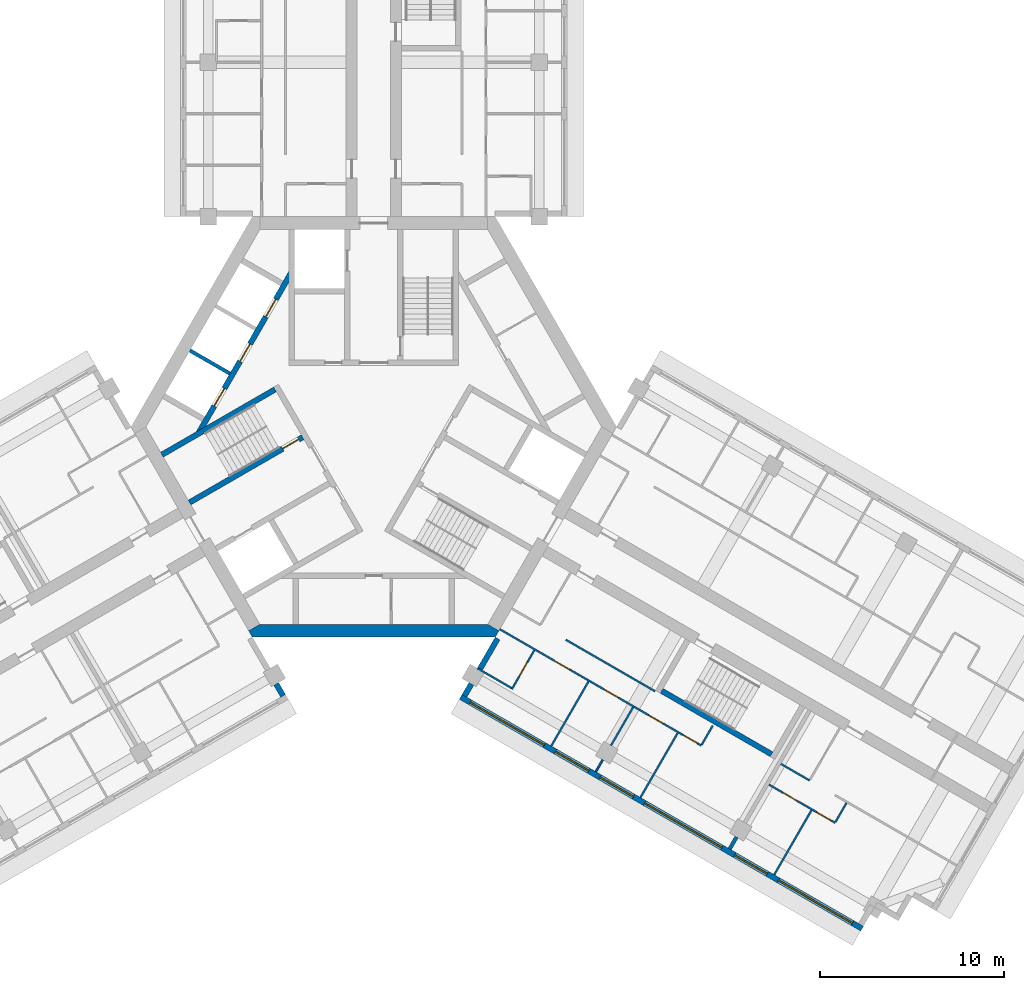
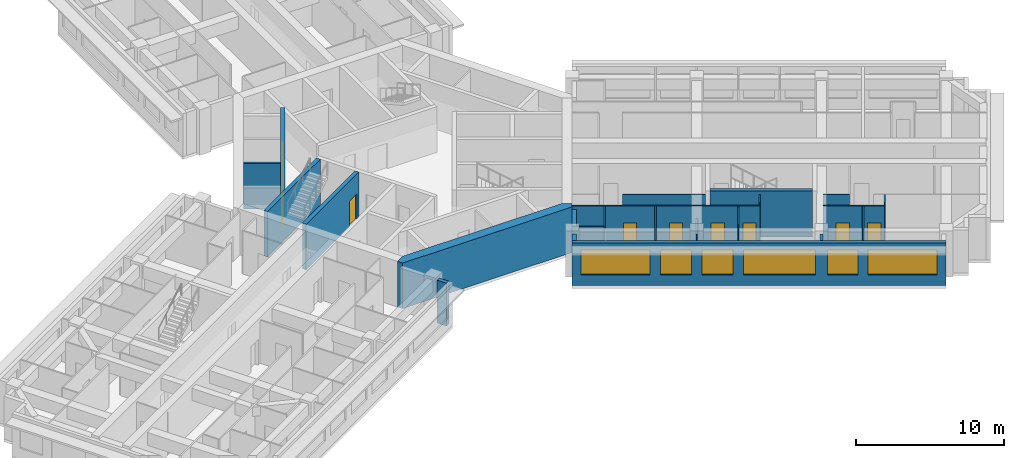
# One storey, part 5 of 12: 24 walls, 11 doors, 6 windows, 17 openings.
"""IFC4 building model written with IfcOpenShell, lengths in metres."""

from ifc_helpers import new_model, si_unit, direction, frame, frame_2d, origin, place, context, subcontext, project, spatial, polyline, rectangle, outline, extrude, material, layer, layer_set, type_object, element, fill, save


model = new_model("IFC4")

# Units and contexts
model_context = context("Model", 3, precision=1e-05, world=origin(), true_north=direction((0.0, 1.0)))
body_context = subcontext(model_context, "Body", "Model", "MODEL_VIEW")
ifc_project = project(units=[si_unit("LENGTHUNIT", "METRE"), si_unit("AREAUNIT", "SQUARE_METRE"), si_unit("VOLUMEUNIT", "CUBIC_METRE"), si_unit("PLANEANGLEUNIT", "RADIAN"), si_unit("MASSUNIT", "GRAM", prefix="KILO")], contexts=[model_context])

# Site, building, storey
site_placement = place(None, origin())
site = spatial("IfcSite", under=ifc_project, at=site_placement, CompositionType="ELEMENT")
building_placement = place(site_placement, origin())
building = spatial("IfcBuilding", under=site, at=building_placement, Name="Impinga Residences", CompositionType="ELEMENT")
storey_placement = place(building_placement, frame((0.0, 0.0, 214.75)))
storey = spatial("IfcBuildingStorey", under=building, at=storey_placement, Name="L53", CompositionType="ELEMENT", Elevation=214.75)

# Wall, openings, windows
ifc_material_1 = material(Name="Terracotta rainscreen on blockwork", Category="masonry")
ifc_layer_1 = layer(ifc_material_1, 0.300048828125)
ifc_layer_set_1 = layer_set([ifc_layer_1], Name="EW1 external wall, terracotta rainscreen on blockwork 300")
wall_type_1 = type_object("IfcWallType", Name="EW1 external wall, terracotta rainscreen on blockwork 300", PredefinedType="SOLIDWALL", material=ifc_layer_set_1)
wall_1_placement = place(storey_placement, frame((26.548828125, -27.279052734375, 0.0), z_axis=(0.0, 0.0, 1.0), x_axis=(-0.866026832479, 0.499997525421, 0.0)))
wall_1 = element("IfcWall", 1, at=wall_1_placement, inside=storey, type_object=wall_type_1, Name="External wall EW1 L53", PredefinedType="SOLIDWALL", context=body_context, shape_type="SweptSolid", body=[
    extrude(rectangle(XDim=25.199951171875, YDim=0.300048828125, at=frame_2d((12.60009765625, 0.0))), origin(), (0.0, 0.0, 1.0), 3.530029296875),
])
opening_1_placement = place(wall_1_placement, frame((0.60009765625, 0.0, 0.89990234375)))
opening_1 = element("IfcOpeningElement", 2, at=opening_1_placement, cuts=wall_1, Name="Opening W10", PredefinedType="OPENING", context=body_context, shape_type="SweptSolid", body=[
    extrude(rectangle(XDim=4.64990234375, YDim=2.050048828125, at=frame_2d((2.324951171875, 1.02490234375))), frame((0.0, 0.159912109375, 0.0), z_axis=(0.0, -1.0, 0.0), x_axis=(1.0, 0.0, 0.0)), (0.0, 0.0, 1.0), 0.320068359375),
])
opening_2_placement = place(wall_1_placement, frame((5.949951171875, 0.0, 0.89990234375)))
opening_2 = element("IfcOpeningElement", 3, at=opening_2_placement, cuts=wall_1, Name="Opening W14", PredefinedType="OPENING", context=body_context, shape_type="SweptSolid", body=[
    extrude(rectangle(XDim=2.050048828125, YDim=2.050048828125, at=frame_2d((1.02490234375, 1.02490234375))), frame((0.0, 0.159912109375, 0.0), z_axis=(0.0, -1.0, 0.0), x_axis=(1.0, 0.0, 0.0)), (0.0, 0.0, 1.0), 0.320068359375),
])
opening_3_placement = place(wall_1_placement, frame((8.800048828125, 0.0, 0.89990234375)))
opening_3 = element("IfcOpeningElement", 4, at=opening_3_placement, cuts=wall_1, Name="Opening W6", PredefinedType="OPENING", context=body_context, shape_type="SweptSolid", body=[
    extrude(rectangle(XDim=4.85009765625, YDim=2.050048828125, at=frame_2d((2.425048828125, 1.02490234375))), frame((0.0, 0.159912109375, 0.0), z_axis=(0.0, -1.0, 0.0), x_axis=(1.0, 0.0, 0.0)), (0.0, 0.0, 1.0), 0.320068359375),
])
opening_4_placement = place(wall_1_placement, frame((14.35009765625, 0.0, 0.89990234375)))
opening_4 = element("IfcOpeningElement", 5, at=opening_4_placement, cuts=wall_1, Name="Opening W9", PredefinedType="OPENING", context=body_context, shape_type="SweptSolid", body=[
    extrude(rectangle(XDim=2.10009765625, YDim=2.050048828125, at=frame_2d((1.050048828125, 1.02490234375))), frame((0.0, 0.159912109375, 0.0), z_axis=(0.0, -1.0, 0.0), x_axis=(1.0, 0.0, 0.0)), (0.0, 0.0, 1.0), 0.320068359375),
])
opening_5_placement = place(wall_1_placement, frame((17.14990234375, 0.0, 0.89990234375)))
opening_5 = element("IfcOpeningElement", 6, at=opening_5_placement, cuts=wall_1, Name="Opening W9", PredefinedType="OPENING", context=body_context, shape_type="SweptSolid", body=[
    extrude(rectangle(XDim=2.10009765625, YDim=2.050048828125, at=frame_2d((1.050048828125, 1.02490234375))), frame((0.0, 0.159912109375, 0.0), z_axis=(0.0, -1.0, 0.0), x_axis=(1.0, 0.0, 0.0)), (0.0, 0.0, 1.0), 0.320068359375),
])
opening_6_placement = place(wall_1_placement, frame((19.949951171875, 0.0, 0.89990234375)))
opening_6 = element("IfcOpeningElement", 7, at=opening_6_placement, cuts=wall_1, Name="Opening W10", PredefinedType="OPENING", context=body_context, shape_type="SweptSolid", body=[
    extrude(rectangle(XDim=4.64990234375, YDim=2.050048828125, at=frame_2d((2.324951171875, 1.02490234375))), frame((0.0, 0.159912109375, 0.0), z_axis=(0.0, -1.0, 0.0), x_axis=(1.0, 0.0, 0.0)), (0.0, 0.0, 1.0), 0.320068359375),
])
ifc_material_2 = material(Name="Aluminium window, clear double glazing", Category="aluminium")
window_type_1 = type_object("IfcWindowType", Name="W10 ribbon window 4650x2050", PartitioningType="SINGLE_PANEL", PredefinedType="WINDOW", material=ifc_material_2)
window_1_placement = place(opening_1_placement, origin())
window_1 = element("IfcWindow", 8, at=window_1_placement, inside=storey, type_object=window_type_1, Name="Window L53", OverallHeight=2.050048828125, OverallWidth=4.64990234375, PartitioningType="SINGLE_PANEL", PredefinedType="WINDOW", context=body_context, shape_type="SweptSolid", body=[
    extrude(rectangle(XDim=4.64990234375, YDim=2.050048828125, at=frame_2d((2.324951171875, 1.02490234375))), frame((0.0, 0.030029296875, 0.0), z_axis=(0.0, -1.0, 0.0), x_axis=(1.0, 0.0, 0.0)), (0.0, 0.0, 1.0), 0.06005859375),
])
fill(opening_1, window_1)
window_2_placement = place(opening_6_placement, origin())
window_2 = element("IfcWindow", 9, at=window_2_placement, inside=storey, type_object=window_type_1, Name="Window L53", OverallHeight=2.050048828125, OverallWidth=4.64990234375, PartitioningType="SINGLE_PANEL", PredefinedType="WINDOW", context=body_context, shape_type="SweptSolid", body=[
    extrude(rectangle(XDim=4.64990234375, YDim=2.050048828125, at=frame_2d((2.324951171875, 1.02490234375))), frame((0.0, 0.030029296875, 0.0), z_axis=(0.0, -1.0, 0.0), x_axis=(1.0, 0.0, 0.0)), (0.0, 0.0, 1.0), 0.06005859375),
])
fill(opening_6, window_2)
window_type_2 = type_object("IfcWindowType", Name="W14 ribbon window 2050x2050", PartitioningType="SINGLE_PANEL", PredefinedType="WINDOW", material=ifc_material_2)
window_3_placement = place(opening_2_placement, origin())
window_3 = element("IfcWindow", 10, at=window_3_placement, inside=storey, type_object=window_type_2, Name="Window L53", OverallHeight=2.050048828125, OverallWidth=2.050048828125, PartitioningType="SINGLE_PANEL", PredefinedType="WINDOW", context=body_context, shape_type="SweptSolid", body=[
    extrude(rectangle(XDim=2.050048828125, YDim=2.050048828125, at=frame_2d((1.02490234375, 1.02490234375))), frame((0.0, 0.030029296875, 0.0), z_axis=(0.0, -1.0, 0.0), x_axis=(1.0, 0.0, 0.0)), (0.0, 0.0, 1.0), 0.06005859375),
])
fill(opening_2, window_3)
window_type_3 = type_object("IfcWindowType", Name="W6 ribbon window 4850x2050", PartitioningType="SINGLE_PANEL", PredefinedType="WINDOW", material=ifc_material_2)
window_4_placement = place(opening_3_placement, origin())
window_4 = element("IfcWindow", 11, at=window_4_placement, inside=storey, type_object=window_type_3, Name="Window L53", OverallHeight=2.050048828125, OverallWidth=4.85009765625, PartitioningType="SINGLE_PANEL", PredefinedType="WINDOW", context=body_context, shape_type="SweptSolid", body=[
    extrude(rectangle(XDim=4.85009765625, YDim=2.050048828125, at=frame_2d((2.425048828125, 1.02490234375))), frame((0.0, 0.030029296875, 0.0), z_axis=(0.0, -1.0, 0.0), x_axis=(1.0, 0.0, 0.0)), (0.0, 0.0, 1.0), 0.06005859375),
])
fill(opening_3, window_4)
window_type_4 = type_object("IfcWindowType", Name="W9 ribbon window 2100x2050", PartitioningType="SINGLE_PANEL", PredefinedType="WINDOW", material=ifc_material_2)
window_5_placement = place(opening_4_placement, origin())
window_5 = element("IfcWindow", 12, at=window_5_placement, inside=storey, type_object=window_type_4, Name="Window L53", OverallHeight=2.050048828125, OverallWidth=2.10009765625, PartitioningType="SINGLE_PANEL", PredefinedType="WINDOW", context=body_context, shape_type="SweptSolid", body=[
    extrude(rectangle(XDim=2.10009765625, YDim=2.050048828125, at=frame_2d((1.050048828125, 1.02490234375))), frame((0.0, 0.030029296875, 0.0), z_axis=(0.0, -1.0, 0.0), x_axis=(1.0, 0.0, 0.0)), (0.0, 0.0, 1.0), 0.06005859375),
])
fill(opening_4, window_5)
window_6_placement = place(opening_5_placement, origin())
window_6 = element("IfcWindow", 13, at=window_6_placement, inside=storey, type_object=window_type_4, Name="Window L53", OverallHeight=2.050048828125, OverallWidth=2.10009765625, PartitioningType="SINGLE_PANEL", PredefinedType="WINDOW", context=body_context, shape_type="SweptSolid", body=[
    extrude(rectangle(XDim=2.10009765625, YDim=2.050048828125, at=frame_2d((1.050048828125, 1.02490234375))), frame((0.0, 0.030029296875, 0.0), z_axis=(0.0, -1.0, 0.0), x_axis=(1.0, 0.0, 0.0)), (0.0, 0.0, 1.0), 0.06005859375),
])
fill(opening_5, window_6)

# Walls
wall_2_placement = place(storey_placement, frame((4.929931640625, -14.624267578125, 0.0), z_axis=(0.0, 0.0, 1.0), x_axis=(0.499919672301, 0.866071776036, 0.0)))
element("IfcWall", 14, at=wall_2_placement, inside=storey, type_object=wall_type_1, Name="External wall EW1 L53", PredefinedType="SOLIDWALL", context=body_context, shape_type="SweptSolid", body=[
    extrude(rectangle(XDim=0.75, YDim=0.300048828125, at=frame_2d((0.375, 0.0))), origin(), (0.0, 0.0, 1.0), 3.530029296875),
])
wall_3_placement = place(storey_placement, frame((5.7548828125, -13.1953125, 0.0), z_axis=(0.0, 0.0, 1.0), x_axis=(0.500043961785, 0.866000020948, 0.0)))
element("IfcWall", 15, at=wall_3_placement, inside=storey, type_object=wall_type_1, Name="External wall EW1 L53", PredefinedType="SOLIDWALL", context=body_context, shape_type="SweptSolid", body=[
    extrude(rectangle(XDim=1.949951171875, YDim=0.300048828125, at=frame_2d((0.97509765625, 0.0))), origin(), (0.0, 0.0, 1.0), 3.530029296875),
])
wall_4_placement = place(storey_placement, frame((-5.304931640625, -13.974609375, 0.0), z_axis=(0.0, 0.0, 1.0), x_axis=(0.499919672301, -0.866071776036, 0.0)))
element("IfcWall", 16, at=wall_4_placement, inside=storey, type_object=wall_type_1, Name="External wall EW1 L53", PredefinedType="SOLIDWALL", context=body_context, shape_type="SweptSolid", body=[
    extrude(rectangle(XDim=0.75, YDim=0.300048828125, at=frame_2d((0.375, 0.0))), origin(), (0.0, 0.0, 1.0), 3.530029296875),
])
ifc_material_3 = material(Name="Gypsum board on steel studs", Category="steel")
ifc_layer_2 = layer(ifc_material_3, 0.10009765625)
ifc_layer_set_2 = layer_set([ifc_layer_2], Name="Gypsum board on steel studs")
wall_type_2 = type_object("IfcWallType", Name="IP1 partition 100", PredefinedType="PARTITIONING", material=ifc_layer_set_2)
wall_5_placement = place(storey_placement, frame((10.444580078125, -11.57275390625, 0.0), z_axis=(0.0, 0.0, 1.0), x_axis=(0.866015695474, -0.500016814911, 0.0)))
element("IfcWall", 17, at=wall_5_placement, inside=storey, type_object=wall_type_2, Name="Partition L53-EF1:DIV1", PredefinedType="PARTITIONING", context=body_context, shape_type="SweptSolid", body=[
    extrude(rectangle(XDim=5.599853515625, YDim=0.10009765625, at=frame_2d((2.7998046875, 0.0))), origin(), (0.0, 0.0, 1.0), 3.530029296875),
])

# Wall, openings, doors
wall_6_placement = place(storey_placement, frame((6.85009765625, -10.99853515625, 0.0), z_axis=(0.0, 0.0, 1.0), x_axis=(0.866024244478, -0.500002007972, 0.0)))
wall_6 = element("IfcWall", 18, at=wall_6_placement, inside=storey, type_object=wall_type_2, Name="Partition L53-EF1:STRIP", PredefinedType="PARTITIONING", context=body_context, shape_type="SweptSolid", body=[
    extrude(rectangle(XDim=12.64990234375, YDim=0.10009765625, at=frame_2d((6.324951171875, 0.0))), origin(), (0.0, 0.0, 1.0), 3.530029296875),
])
opening_7_placement = place(wall_6_placement, frame((3.449951171875, 0.0, 0.0)))
opening_7 = element("IfcOpeningElement", 19, at=opening_7_placement, cuts=wall_6, Name="Opening D2", PredefinedType="OPENING", context=body_context, shape_type="SweptSolid", body=[
    extrude(rectangle(XDim=0.89990234375, YDim=2.10009765625, at=frame_2d((0.449951171875, 1.050048828125))), frame((0.0, 0.06005859375, 0.0), z_axis=(0.0, -1.0, 0.0), x_axis=(1.0, 0.0, 0.0)), (0.0, 0.0, 1.0), 0.1201171875),
])
opening_8_placement = place(wall_6_placement, frame((6.550048828125, 0.0, 0.0)))
opening_8 = element("IfcOpeningElement", 20, at=opening_8_placement, cuts=wall_6, Name="Opening D2", PredefinedType="OPENING", context=body_context, shape_type="SweptSolid", body=[
    extrude(rectangle(XDim=0.89990234375, YDim=2.10009765625, at=frame_2d((0.449951171875, 1.050048828125))), frame((0.0, 0.06005859375, 0.0), z_axis=(0.0, -1.0, 0.0), x_axis=(1.0, 0.0, 0.0)), (0.0, 0.0, 1.0), 0.1201171875),
])
opening_9_placement = place(wall_6_placement, frame((9.35009765625, 0.0, 0.0)))
opening_9 = element("IfcOpeningElement", 21, at=opening_9_placement, cuts=wall_6, Name="Opening D2", PredefinedType="OPENING", context=body_context, shape_type="SweptSolid", body=[
    extrude(rectangle(XDim=0.89990234375, YDim=2.10009765625, at=frame_2d((0.449951171875, 1.050048828125))), frame((0.0, 0.06005859375, 0.0), z_axis=(0.0, -1.0, 0.0), x_axis=(1.0, 0.0, 0.0)), (0.0, 0.0, 1.0), 0.1201171875),
])
opening_10_placement = place(wall_6_placement, frame((11.5, 0.0, 0.0)))
opening_10 = element("IfcOpeningElement", 22, at=opening_10_placement, cuts=wall_6, Name="Opening D2", PredefinedType="OPENING", context=body_context, shape_type="SweptSolid", body=[
    extrude(rectangle(XDim=0.89990234375, YDim=2.10009765625, at=frame_2d((0.449951171875, 1.050048828125))), frame((0.0, 0.06005859375, 0.0), z_axis=(0.0, -1.0, 0.0), x_axis=(1.0, 0.0, 0.0)), (0.0, 0.0, 1.0), 0.1201171875),
])
ifc_material_4 = material(Name="Timber door set", Category="wood")
door_type_1 = type_object("IfcDoorType", Name="D2 internal door 900x2100", OperationType="SINGLE_SWING_LEFT", PredefinedType="DOOR", material=ifc_material_4)
door_1_placement = place(opening_7_placement, origin())
door_1 = element("IfcDoor", 23, at=door_1_placement, inside=storey, type_object=door_type_1, Name="Apartment L53-EF1 room door", OperationType="SINGLE_SWING_LEFT", OverallHeight=2.10009765625, OverallWidth=0.89990234375, PredefinedType="DOOR", context=body_context, shape_type="SweptSolid", body=[
    extrude(rectangle(XDim=0.89990234375, YDim=2.10009765625, at=frame_2d((0.449951171875, 1.050048828125))), frame((0.0, 0.02490234375, 0.0), z_axis=(0.0, -1.0, 0.0), x_axis=(1.0, 0.0, 0.0)), (0.0, 0.0, 1.0), 0.050048828125),
])
fill(opening_7, door_1)
door_2_placement = place(opening_8_placement, origin())
door_2 = element("IfcDoor", 24, at=door_2_placement, inside=storey, type_object=door_type_1, Name="Apartment L53-EF1 room door", OperationType="SINGLE_SWING_RIGHT", OverallHeight=2.10009765625, OverallWidth=0.89990234375, PredefinedType="DOOR", context=body_context, shape_type="SweptSolid", body=[
    extrude(rectangle(XDim=0.89990234375, YDim=2.10009765625, at=frame_2d((0.449951171875, 1.050048828125))), frame((0.0, 0.02490234375, 0.0), z_axis=(0.0, -1.0, 0.0), x_axis=(1.0, 0.0, 0.0)), (0.0, 0.0, 1.0), 0.050048828125),
])
fill(opening_8, door_2)
door_3_placement = place(opening_9_placement, origin())
door_3 = element("IfcDoor", 25, at=door_3_placement, inside=storey, type_object=door_type_1, Name="Apartment L53-EF1 room door", OperationType="SINGLE_SWING_RIGHT", OverallHeight=2.10009765625, OverallWidth=0.89990234375, PredefinedType="DOOR", context=body_context, shape_type="SweptSolid", body=[
    extrude(rectangle(XDim=0.89990234375, YDim=2.10009765625, at=frame_2d((0.449951171875, 1.050048828125))), frame((0.0, 0.02490234375, 0.0), z_axis=(0.0, -1.0, 0.0), x_axis=(1.0, 0.0, 0.0)), (0.0, 0.0, 1.0), 0.050048828125),
])
fill(opening_9, door_3)
door_4_placement = place(opening_10_placement, origin())
door_4 = element("IfcDoor", 26, at=door_4_placement, inside=storey, type_object=door_type_1, Name="Apartment L53-EF1 room door", OperationType="SINGLE_SWING_RIGHT", OverallHeight=2.10009765625, OverallWidth=0.89990234375, PredefinedType="DOOR", context=body_context, shape_type="SweptSolid", body=[
    extrude(rectangle(XDim=0.89990234375, YDim=2.10009765625, at=frame_2d((0.449951171875, 1.050048828125))), frame((0.0, 0.02490234375, 0.0), z_axis=(0.0, -1.0, 0.0), x_axis=(1.0, 0.0, 0.0)), (0.0, 0.0, 1.0), 0.050048828125),
])
fill(opening_10, door_4)

# Walls
wall_7_placement = place(storey_placement, frame((18.43017578125, -16.240966796875, 0.0), z_axis=(0.0, 0.0, 1.0), x_axis=(-0.499880961361, -0.866094119867, 0.0)))
element("IfcWall", 27, at=wall_7_placement, inside=storey, type_object=wall_type_2, Name="Partition L53-EF1:SE1", PredefinedType="PARTITIONING", context=body_context, shape_type="SweptSolid", body=[
    extrude(rectangle(XDim=1.199951171875, YDim=0.10009765625, at=frame_2d((0.60009765625, 0.0))), origin(), (0.0, 0.0, 1.0), 3.530029296875),
])
wall_8_placement = place(storey_placement, frame((11.6748046875, -13.841796875, 0.0), z_axis=(0.0, 0.0, 1.0), x_axis=(-0.500035537042, -0.866004885491, 0.0)))
element("IfcWall", 28, at=wall_8_placement, inside=storey, type_object=wall_type_2, Name="Partition L53-EF1:OB1", PredefinedType="PARTITIONING", context=body_context, shape_type="SweptSolid", body=[
    extrude(rectangle(XDim=4.050048828125, YDim=0.10009765625, at=frame_2d((2.02490234375, 0.0))), origin(), (0.0, 0.0, 1.0), 3.530029296875),
])
wall_9_placement = place(storey_placement, frame((14.099609375, -15.241943359375, 0.0), z_axis=(0.0, 0.0, 1.0), x_axis=(-0.500001309137, -0.866024647952, 0.0)))
element("IfcWall", 29, at=wall_9_placement, inside=storey, type_object=wall_type_2, Name="Partition L53-EF1:OB2", PredefinedType="PARTITIONING", context=body_context, shape_type="SweptSolid", body=[
    extrude(rectangle(XDim=2.39990234375, YDim=0.10009765625, at=frame_2d((1.199951171875, 0.0))), origin(), (0.0, 0.0, 1.0), 2.47998046875),
])
wall_10_placement = place(storey_placement, frame((12.44970703125, -18.099609375, 0.0), z_axis=(0.0, 0.0, 1.0), x_axis=(-0.499919672301, -0.866071776036, 0.0)))
element("IfcWall", 30, at=wall_10_placement, inside=storey, type_object=wall_type_2, Name="Partition L53-EF1:OB2b", PredefinedType="PARTITIONING", context=body_context, shape_type="SweptSolid", body=[
    extrude(rectangle(XDim=0.75, YDim=0.10009765625, at=frame_2d((0.375, 0.0))), origin(), (0.0, 0.0, 1.0), 3.530029296875),
])
wall_11_placement = place(storey_placement, frame((16.5244140625, -16.641845703125, 0.0), z_axis=(0.0, 0.0, 1.0), x_axis=(-0.499990325971, -0.866030989016, 0.0)))
element("IfcWall", 31, at=wall_11_placement, inside=storey, type_object=wall_type_2, Name="Partition L53-EF1:OB3", PredefinedType="PARTITIONING", context=body_context, shape_type="SweptSolid", body=[
    extrude(rectangle(XDim=4.0498046875, YDim=0.10009765625, at=frame_2d((2.02490234375, 0.0))), origin(), (0.0, 0.0, 1.0), 3.530029296875),
])

# Wall, opening, door
wall_12_placement = place(storey_placement, frame((8.730224609375, -12.141845703125, 0.0), z_axis=(0.0, 0.0, 1.0), x_axis=(-0.499943856944, -0.866057815567, 0.0)))
wall_12 = element("IfcWall", 32, at=wall_12_placement, inside=storey, type_object=wall_type_2, Name="Partition L53-EF1:EN1", PredefinedType="PARTITIONING", context=body_context, shape_type="SweptSolid", body=[
    extrude(rectangle(XDim=2.449951171875, YDim=0.10009765625, at=frame_2d((1.22509765625, 0.0))), origin(), (0.0, 0.0, 1.0), 3.530029296875),
])
opening_11_placement = place(wall_12_placement, frame((0.75, 0.0, 0.0)))
opening_11 = element("IfcOpeningElement", 33, at=opening_11_placement, cuts=wall_12, Name="Opening D2", PredefinedType="OPENING", context=body_context, shape_type="SweptSolid", body=[
    extrude(rectangle(XDim=0.89990234375, YDim=2.10009765625, at=frame_2d((0.449951171875, 1.050048828125))), frame((0.0, 0.06005859375, 0.0), z_axis=(0.0, -1.0, 0.0), x_axis=(1.0, 0.0, 0.0)), (0.0, 0.0, 1.0), 0.1201171875),
])
door_5_placement = place(opening_11_placement, origin())
door_5 = element("IfcDoor", 34, at=door_5_placement, inside=storey, type_object=door_type_1, Name="Apartment L53-EF1 en-suite door", OperationType="SINGLE_SWING_LEFT", OverallHeight=2.10009765625, OverallWidth=0.89990234375, PredefinedType="DOOR", context=body_context, shape_type="SweptSolid", body=[
    extrude(rectangle(XDim=0.89990234375, YDim=2.10009765625, at=frame_2d((0.449951171875, 1.050048828125))), frame((0.0, 0.02490234375, 0.0), z_axis=(0.0, -1.0, 0.0), x_axis=(1.0, 0.0, 0.0)), (0.0, 0.0, 1.0), 0.050048828125),
])
fill(opening_11, door_5)

# Walls
wall_13_placement = place(storey_placement, frame((5.625, -13.120361328125, 0.0), z_axis=(0.0, 0.0, 1.0), x_axis=(0.866047553582, -0.499961633463, 0.0)))
element("IfcWall", 35, at=wall_13_placement, inside=storey, type_object=wall_type_2, Name="Partition L53-EF1:EN2", PredefinedType="PARTITIONING", context=body_context, shape_type="SweptSolid", body=[
    extrude(rectangle(XDim=2.150146484375, YDim=0.10009765625, at=frame_2d((1.0751953125, 0.0))), origin(), (0.0, 0.0, 1.0), 3.530029296875),
])
wall_14_placement = place(storey_placement, frame((22.1357421875, -18.32275390625, 0.0), z_axis=(0.0, 0.0, 1.0), x_axis=(0.866047807691, -0.499961193289, 0.0)))
element("IfcWall", 36, at=wall_14_placement, inside=storey, type_object=wall_type_2, Name="Partition L53-EF2:DIV0", PredefinedType="PARTITIONING", context=body_context, shape_type="SweptSolid", body=[
    extrude(rectangle(XDim=1.800048828125, YDim=0.10009765625, at=frame_2d((0.89990234375, 0.0))), origin(), (0.0, 0.0, 1.0), 3.530029296875),
])

# Wall, openings, doors
wall_15_placement = place(storey_placement, frame((21.48583984375, -19.448486328125, 0.0), z_axis=(0.0, 0.0, 1.0), x_axis=(0.86602981871, -0.499992353047, 0.0)))
wall_15 = element("IfcWall", 37, at=wall_15_placement, inside=storey, type_object=wall_type_2, Name="Partition L53-EF2:STRIP", PredefinedType="PARTITIONING", context=body_context, shape_type="SweptSolid", body=[
    extrude(rectangle(XDim=4.14990234375, YDim=0.10009765625, at=frame_2d((2.074951171875, 0.0))), origin(), (0.0, 0.0, 1.0), 3.530029296875),
])
opening_12_placement = place(wall_15_placement, frame((0.875, 0.0, 0.0)))
opening_12 = element("IfcOpeningElement", 38, at=opening_12_placement, cuts=wall_15, Name="Opening D2", PredefinedType="OPENING", context=body_context, shape_type="SweptSolid", body=[
    extrude(rectangle(XDim=0.89990234375, YDim=2.10009765625, at=frame_2d((0.449951171875, 1.050048828125))), frame((0.0, 0.06005859375, 0.0), z_axis=(0.0, -1.0, 0.0), x_axis=(1.0, 0.0, 0.0)), (0.0, 0.0, 1.0), 0.1201171875),
])
opening_13_placement = place(wall_15_placement, frame((3.0, 0.0, 0.0)))
opening_13 = element("IfcOpeningElement", 39, at=opening_13_placement, cuts=wall_15, Name="Opening D2", PredefinedType="OPENING", context=body_context, shape_type="SweptSolid", body=[
    extrude(rectangle(XDim=0.89990234375, YDim=2.10009765625, at=frame_2d((0.449951171875, 1.050048828125))), frame((0.0, 0.06005859375, 0.0), z_axis=(0.0, -1.0, 0.0), x_axis=(1.0, 0.0, 0.0)), (0.0, 0.0, 1.0), 0.1201171875),
])
door_6_placement = place(opening_12_placement, origin())
door_6 = element("IfcDoor", 40, at=door_6_placement, inside=storey, type_object=door_type_1, Name="Apartment L53-EF2 room door", OperationType="SINGLE_SWING_LEFT", OverallHeight=2.10009765625, OverallWidth=0.89990234375, PredefinedType="DOOR", context=body_context, shape_type="SweptSolid", body=[
    extrude(rectangle(XDim=0.89990234375, YDim=2.10009765625, at=frame_2d((0.449951171875, 1.050048828125))), frame((0.0, 0.02490234375, 0.0), z_axis=(0.0, -1.0, 0.0), x_axis=(1.0, 0.0, 0.0)), (0.0, 0.0, 1.0), 0.050048828125),
])
fill(opening_12, door_6)
door_7_placement = place(opening_13_placement, origin())
door_7 = element("IfcDoor", 41, at=door_7_placement, inside=storey, type_object=door_type_1, Name="Apartment L53-EF2 room door", OperationType="SINGLE_SWING_RIGHT", OverallHeight=2.10009765625, OverallWidth=0.89990234375, PredefinedType="DOOR", context=body_context, shape_type="SweptSolid", body=[
    extrude(rectangle(XDim=0.89990234375, YDim=2.10009765625, at=frame_2d((0.449951171875, 1.050048828125))), frame((0.0, 0.02490234375, 0.0), z_axis=(0.0, -1.0, 0.0), x_axis=(1.0, 0.0, 0.0)), (0.0, 0.0, 1.0), 0.050048828125),
])
fill(opening_13, door_7)

# Walls
wall_16_placement = place(storey_placement, frame((25.704833984375, -20.44091796875, 0.0), z_axis=(0.0, 0.0, 1.0), x_axis=(-0.500033551112, -0.866006032174, 0.0)))
element("IfcWall", 42, at=wall_16_placement, inside=storey, type_object=wall_type_2, Name="Partition L53-EF2:SE1", PredefinedType="PARTITIONING", context=body_context, shape_type="SweptSolid", body=[
    extrude(rectangle(XDim=1.2001953125, YDim=0.10009765625, at=frame_2d((0.60009765625, 0.0))), origin(), (0.0, 0.0, 1.0), 3.530029296875),
])
wall_17_placement = place(storey_placement, frame((23.799072265625, -20.841796875, 0.0), z_axis=(0.0, 0.0, 1.0), x_axis=(-0.499990325971, -0.866030989016, 0.0)))
element("IfcWall", 43, at=wall_17_placement, inside=storey, type_object=wall_type_2, Name="Partition L53-EF2:OB1", PredefinedType="PARTITIONING", context=body_context, shape_type="SweptSolid", body=[
    extrude(rectangle(XDim=4.0498046875, YDim=0.10009765625, at=frame_2d((2.02490234375, 0.0))), origin(), (0.0, 0.0, 1.0), 3.530029296875),
])
ifc_material_5 = material(Name="Concrete blockwork", Category="masonry")
ifc_layer_3 = layer(ifc_material_5, 0.199951171875)
ifc_layer_set_3 = layer_set([ifc_layer_3], Name="PW1 party wall between apartments 200")
wall_type_3 = type_object("IfcWallType", Name="PW1 party wall between apartments 200", PredefinedType="SOLIDWALL", material=ifc_layer_set_3)
wall_18_placement = place(storey_placement, frame((19.72412109375, -22.2998046875, 0.0), z_axis=(0.0, 0.0, 1.0), x_axis=(-0.500060622324, -0.86599040064, 0.0)))
element("IfcWall", 44, at=wall_18_placement, inside=storey, type_object=wall_type_3, Name="Party wall between apartments L53-EF1:PARTYb", PredefinedType="SOLIDWALL", context=body_context, shape_type="SweptSolid", body=[
    extrude(rectangle(XDim=0.75, YDim=0.199951171875, at=frame_2d((0.375, 0.0))), origin(), (0.0, 0.0, 1.0), 3.530029296875),
])
ifc_material_6 = material(Name="Concrete C60/75", Category="concrete")
ifc_layer_4 = layer(ifc_material_6, 0.300048828125)
ifc_layer_set_4 = layer_set([ifc_layer_4], Name="Concrete C60/75")
wall_type_4 = type_object("IfcWallType", Name="SE1 wing stair enclosure wall 300", PredefinedType="SOLIDWALL", material=ifc_layer_set_4)
wall_19_placement = place(storey_placement, frame((15.654052734375, -14.349365234375, 0.0), z_axis=(0.0, 0.0, 1.0), x_axis=(0.866013532718, -0.500020560727, 0.0)))
element("IfcWall", 45, at=wall_19_placement, inside=storey, type_object=wall_type_4, Name="Stair enclosure wall SE1 E OUT L53", PredefinedType="SOLIDWALL", context=body_context, shape_type="SweptSolid", body=[
    extrude(rectangle(XDim=6.900146484375, YDim=0.300048828125, at=frame_2d((3.4501953125, 0.0))), origin(), (0.0, 0.0, 1.0), 3.75),
])
ifc_layer_5 = layer(ifc_material_6, 0.699951171875)
ifc_layer_set_5 = layer_set([ifc_layer_5], Name="Concrete C60/75")
wall_type_5 = type_object("IfcWallType", Name="SW3 core wall 700", PredefinedType="SHEAR", material=ifc_layer_set_5)
wall_20_placement = place(storey_placement, origin())
element("IfcWall", 46, at=wall_20_placement, inside=storey, type_object=wall_type_5, Name="Core wall SW3 N:EXPOSED L53", PredefinedType="SHEAR", context=body_context, shape_type="SweptSolid", body=[
    extrude(outline(polyline([(-6.60009765625, -11.431640625), (6.60009765625, -11.431640625), (6.802001953125, -11.08154296875), (6.19580078125, -10.7314453125), (-6.19580078125, -10.7314453125), (-6.802001953125, -11.08154296875), (-6.60009765625, -11.431640625)])), origin(), (0.0, 0.0, 1.0), 3.75),
])

# Wall, opening, door
ifc_material_7 = material(Name="Concrete C70/85", Category="concrete")
ifc_layer_6 = layer(ifc_material_7, 0.300048828125)
ifc_layer_set_6 = layer_set([ifc_layer_6], Name="Concrete C70/85")
wall_type_6 = type_object("IfcWallType", Name="SW5 core inner wall, stairs, shafts and lobbies 300", PredefinedType="SHEAR", material=ifc_layer_set_6)
wall_21_placement = place(storey_placement, frame((-3.86865234375, -0.559326171875, 0.0), z_axis=(0.0, 0.0, 1.0), x_axis=(-0.866025859768, -0.499999210213, 0.0)))
wall_21 = element("IfcWall", 47, at=wall_21_placement, inside=storey, type_object=wall_type_6, Name="Core wall SW5 W:ST-IN L53", PredefinedType="SHEAR", context=body_context, shape_type="SweptSolid", body=[
    extrude(rectangle(XDim=7.1015625, YDim=0.300048828125, at=frame_2d((3.55078125, 0.0))), origin(), (0.0, 0.0, 1.0), 3.75),
])
opening_14_placement = place(wall_21_placement, frame((0.25, 0.0, 0.0)))
opening_14 = element("IfcOpeningElement", 48, at=opening_14_placement, cuts=wall_21, Name="Opening D5", PredefinedType="OPENING", context=body_context, shape_type="SweptSolid", body=[
    extrude(rectangle(XDim=1.0, YDim=2.10009765625, at=frame_2d((0.5, 1.050048828125))), frame((0.0, 0.159912109375, 0.0), z_axis=(0.0, -1.0, 0.0), x_axis=(1.0, 0.0, 0.0)), (0.0, 0.0, 1.0), 0.320068359375),
])
door_type_2 = type_object("IfcDoorType", Name="D5 stair door 1000x2100", OperationType="SINGLE_SWING_LEFT", PredefinedType="DOOR", material=ifc_material_4)
door_8_placement = place(opening_14_placement, origin())
door_8 = element("IfcDoor", 49, at=door_8_placement, inside=storey, type_object=door_type_2, Name="Stair door W", OperationType="SINGLE_SWING_LEFT", OverallHeight=2.10009765625, OverallWidth=1.0, PredefinedType="DOOR", context=body_context, shape_type="SweptSolid", body=[
    extrude(rectangle(XDim=1.0, YDim=2.10009765625, at=frame_2d((0.5, 1.050048828125))), frame((0.0, 0.02490234375, 0.0), z_axis=(0.0, -1.0, 0.0), x_axis=(1.0, 0.0, 0.0)), (0.0, 0.0, 1.0), 0.050048828125),
])
fill(opening_14, door_8)

# Wall
wall_22_placement = place(storey_placement, frame((-5.36865234375, 2.038818359375, 0.0), z_axis=(0.0, 0.0, 1.0), x_axis=(-0.866025859768, -0.499999210213, 0.0)))
element("IfcWall", 50, at=wall_22_placement, inside=storey, type_object=wall_type_6, Name="Core wall SW5 W:ST-OUT L53", PredefinedType="SHEAR", context=body_context, shape_type="SweptSolid", body=[
    extrude(rectangle(XDim=7.1015625, YDim=0.300048828125, at=frame_2d((3.55078125, 0.0))), origin(), (0.0, 0.0, 1.0), 3.75),
])

# Wall, openings, doors
wall_23_placement = place(storey_placement, frame((-9.547607421875, -0.3740234375, 0.0), z_axis=(0.0, 0.0, 1.0), x_axis=(0.500002290144, 0.866024081565, 0.0)))
wall_23 = element("IfcWall", 51, at=wall_23_placement, inside=storey, type_object=wall_type_6, Name="Core wall SW5 E:BANK-FRONT L53", PredefinedType="SHEAR", context=body_context, shape_type="SweptSolid", body=[
    extrude(rectangle(XDim=10.1953125, YDim=0.300048828125, at=frame_2d((5.09765625, 0.0))), origin(), (0.0, 0.0, 1.0), 3.75),
])
opening_15_placement = place(wall_23_placement, frame((1.74755859375, 0.0, 0.0)))
opening_15 = element("IfcOpeningElement", 52, at=opening_15_placement, cuts=wall_23, Name="Opening LD1", PredefinedType="OPENING", context=body_context, shape_type="SweptSolid", body=[
    extrude(rectangle(XDim=1.10009765625, YDim=2.10009765625, at=frame_2d((0.550048828125, 1.050048828125))), frame((0.0, 0.159912109375, 0.0), z_axis=(0.0, -1.0, 0.0), x_axis=(1.0, 0.0, 0.0)), (0.0, 0.0, 1.0), 0.320068359375),
])
opening_16_placement = place(wall_23_placement, frame((4.547607421875, 0.0, 0.0)))
opening_16 = element("IfcOpeningElement", 53, at=opening_16_placement, cuts=wall_23, Name="Opening LD1", PredefinedType="OPENING", context=body_context, shape_type="SweptSolid", body=[
    extrude(rectangle(XDim=1.10009765625, YDim=2.10009765625, at=frame_2d((0.550048828125, 1.050048828125))), frame((0.0, 0.159912109375, 0.0), z_axis=(0.0, -1.0, 0.0), x_axis=(1.0, 0.0, 0.0)), (0.0, 0.0, 1.0), 0.320068359375),
])
opening_17_placement = place(wall_23_placement, frame((7.34765625, 0.0, 0.0)))
opening_17 = element("IfcOpeningElement", 54, at=opening_17_placement, cuts=wall_23, Name="Opening LD1", PredefinedType="OPENING", context=body_context, shape_type="SweptSolid", body=[
    extrude(rectangle(XDim=1.10009765625, YDim=2.10009765625, at=frame_2d((0.550048828125, 1.050048828125))), frame((0.0, 0.159912109375, 0.0), z_axis=(0.0, -1.0, 0.0), x_axis=(1.0, 0.0, 0.0)), (0.0, 0.0, 1.0), 0.320068359375),
])
ifc_material_8 = material(Name="Steel lift landing door", Category="steel")
door_type_3 = type_object("IfcDoorType", Name="LD1 passenger lift landing door 1100x2100", OperationType="DOUBLE_DOOR_SLIDING", PredefinedType="DOOR", material=ifc_material_8)
door_9_placement = place(opening_15_placement, origin())
door_9 = element("IfcDoor", 55, at=door_9_placement, inside=storey, type_object=door_type_3, Name="Lift landing door P7", OperationType="DOUBLE_DOOR_SLIDING", OverallHeight=2.10009765625, OverallWidth=1.10009765625, PredefinedType="DOOR", context=body_context, shape_type="SweptSolid", body=[
    extrude(rectangle(XDim=1.10009765625, YDim=2.10009765625, at=frame_2d((0.550048828125, 1.050048828125))), frame((0.0, 0.02490234375, 0.0), z_axis=(0.0, -1.0, 0.0), x_axis=(1.0, 0.0, 0.0)), (0.0, 0.0, 1.0), 0.050048828125),
])
fill(opening_15, door_9)
door_10_placement = place(opening_16_placement, origin())
door_10 = element("IfcDoor", 56, at=door_10_placement, inside=storey, type_object=door_type_3, Name="Lift landing door P8", OperationType="DOUBLE_DOOR_SLIDING", OverallHeight=2.10009765625, OverallWidth=1.10009765625, PredefinedType="DOOR", context=body_context, shape_type="SweptSolid", body=[
    extrude(rectangle(XDim=1.10009765625, YDim=2.10009765625, at=frame_2d((0.550048828125, 1.050048828125))), frame((0.0, 0.02490234375, 0.0), z_axis=(0.0, -1.0, 0.0), x_axis=(1.0, 0.0, 0.0)), (0.0, 0.0, 1.0), 0.050048828125),
])
fill(opening_16, door_10)
door_11_placement = place(opening_17_placement, origin())
door_11 = element("IfcDoor", 57, at=door_11_placement, inside=storey, type_object=door_type_3, Name="Lift landing door P9", OperationType="DOUBLE_DOOR_SLIDING", OverallHeight=2.10009765625, OverallWidth=1.10009765625, PredefinedType="DOOR", context=body_context, shape_type="SweptSolid", body=[
    extrude(rectangle(XDim=1.10009765625, YDim=2.10009765625, at=frame_2d((0.550048828125, 1.050048828125))), frame((0.0, 0.02490234375, 0.0), z_axis=(0.0, -1.0, 0.0), x_axis=(1.0, 0.0, 0.0)), (0.0, 0.0, 1.0), 0.050048828125),
])
fill(opening_17, door_11)

# Wall
ifc_layer_7 = layer(ifc_material_7, 0.199951171875)
ifc_layer_set_7 = layer_set([ifc_layer_7], Name="Concrete C70/85")
wall_type_7 = type_object("IfcWallType", Name="SW6 lift shaft divider wall 200", PredefinedType="SHEAR", material=ifc_layer_set_7)
wall_24_placement = place(storey_placement, frame((-7.82861328125, 2.9033203125, 0.0), z_axis=(0.0, 0.0, 1.0), x_axis=(-0.866047370643, 0.499961950354, 0.0)))
element("IfcWall", 58, at=wall_24_placement, inside=storey, type_object=wall_type_7, Name="Core wall SW6 E:BANK-D1 L53", PredefinedType="SHEAR", context=body_context, shape_type="SweptSolid", body=[
    extrude(rectangle(XDim=2.500244140625, YDim=0.199951171875, at=frame_2d((1.25, 0.0))), origin(), (0.0, 0.0, 1.0), 3.75),
])

save(model, "model.ifc")
